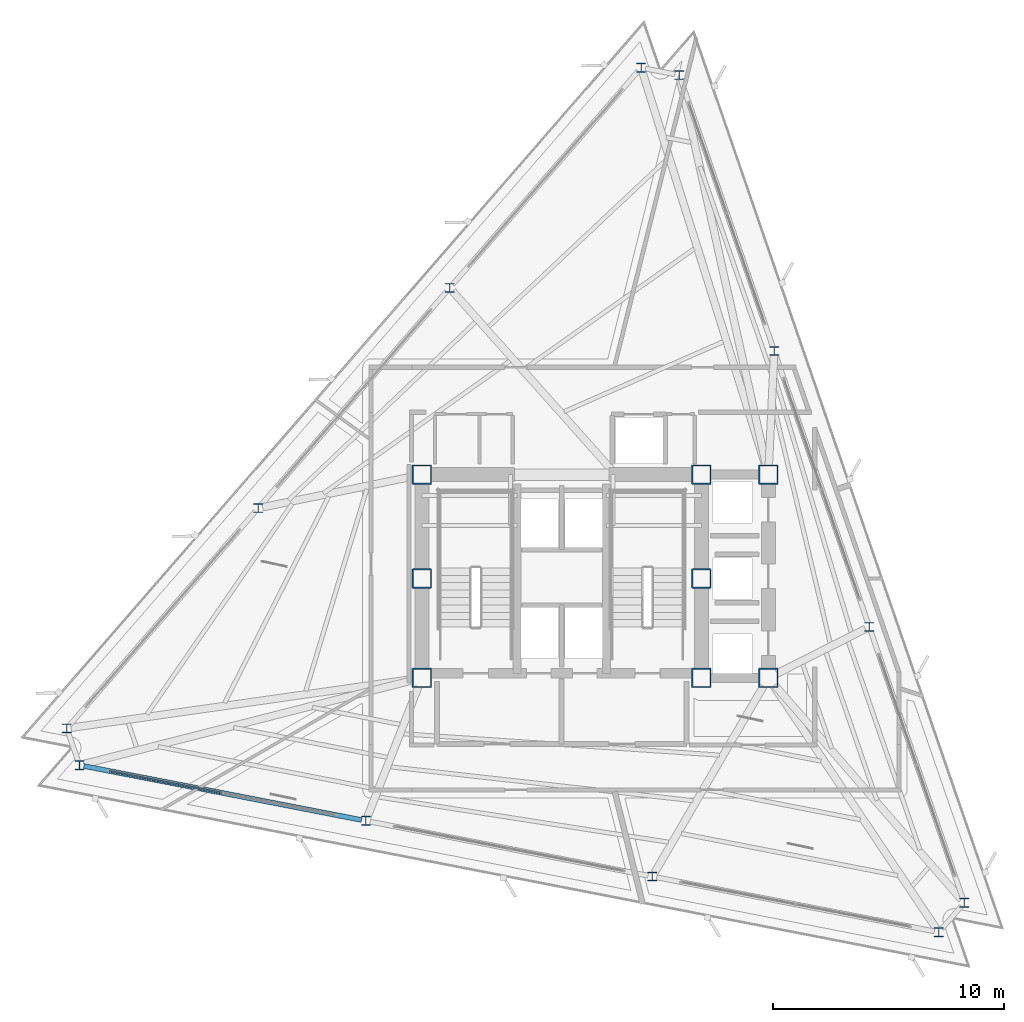
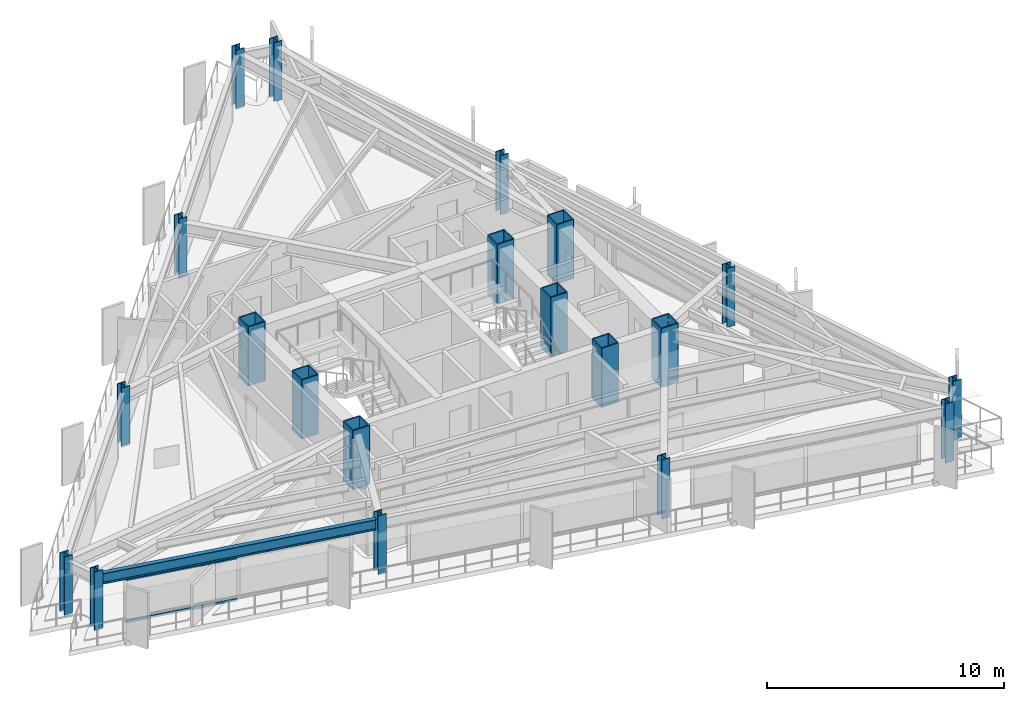
# One storey, part 1 of 13: 20 columns, 2 members, 1 beam, 1 element without a shape of its own.
"""IFC4 building model written with IfcOpenShell, lengths in metres."""

import ifcopenshell
import ifcopenshell.guid

model = None  # the IFC model being written
_history = None  # IfcOwnerHistory: only IFC2X3 demands one
_inside = {}  # id of a spatial element -> (the spatial element, [elements in it])
_under = {}  # id of a project, library or spatial element -> (it, [spatial elements below it])
_declared = {}  # id of a project -> (the project, [libraries it declares])
_typed = {}  # id of a type object -> (the type object, [elements of that type])
_made_of = {}  # id of a material, layer set ... -> (it, [elements and type objects made of it])


def new_model(schema):
    """Start an empty IFC model of exactly this schema.

    Asked for "IFC4X3", IfcOpenShell would pick the latest addendum, in which some entities
    have other attributes; the version numbers below select the first issue.
    IFC2X3 requires an IfcOwnerHistory on every rooted entity: one is made here for all.
    """
    global model, _history
    if schema == "IFC4X3":
        model = ifcopenshell.file(schema_version=(4, 3, 0, 0))
    else:
        model = ifcopenshell.file(schema=schema)
    _inside.clear()
    _under.clear()
    _declared.clear()
    _typed.clear()
    _made_of.clear()
    _history = None
    if model.schema == "IFC2X3":
        org = make("IfcOrganization", Name="unknown")
        user = make(
            "IfcPersonAndOrganization",
            ThePerson=make("IfcPerson", FamilyName="unknown"),
            TheOrganization=org,
        )
        app = make(
            "IfcApplication",
            ApplicationDeveloper=org,
            Version="unknown",
            ApplicationFullName="unknown",
            ApplicationIdentifier="unknown",
        )
        _history = make(
            "IfcOwnerHistory",
            OwningUser=user,
            OwningApplication=app,
            ChangeAction="ADDED",
            CreationDate=0,
        )
    return model


def make(cls, **values):
    """One entity of the class cls with the attributes given. An attribute that is None is left unset."""
    return model.create_entity(
        cls, **{name: value for name, value in values.items() if value is not None}
    )


def rooted(cls, **values):
    """An entity with a GlobalId (a new one), such as an element, a storey or a relation."""
    return make(cls, GlobalId=ifcopenshell.guid.new(), OwnerHistory=_history, **values)


def si_unit(unit_type, name, prefix=None):
    """IfcSIUnit, for example si_unit("LENGTHUNIT", "METRE", prefix="MILLI")."""
    return make("IfcSIUnit", UnitType=unit_type, Prefix=prefix, Name=name)


def assignment(units):
    """IfcUnitAssignment: the units of a project."""
    return None if units is None else make("IfcUnitAssignment", Units=units)


def point(xyz):
    """IfcCartesianPoint."""
    return None if xyz is None else make("IfcCartesianPoint", Coordinates=xyz)


def direction(xyz):
    """IfcDirection."""
    return None if xyz is None else make("IfcDirection", DirectionRatios=xyz)


def frame(location, z_axis=None, x_axis=None):
    """IfcAxis2Placement3D, a coordinate frame: its origin and axes. An axis left out is left unset."""
    return make(
        "IfcAxis2Placement3D",
        Location=point(location),
        Axis=direction(z_axis),
        RefDirection=direction(x_axis),
    )


def frame_2d(location, x_axis=None):
    """IfcAxis2Placement2D, a coordinate frame in the plane: its origin and x axis."""
    return make(
        "IfcAxis2Placement2D", Location=point(location), RefDirection=direction(x_axis)
    )


def origin():
    """The frame at (0, 0, 0) with its axes left unset."""
    return frame((0.0, 0.0, 0.0))


def origin_2d():
    """The frame at (0, 0) in the plane with its x axis left unset."""
    return frame_2d((0.0, 0.0))


def place(relative_to, where):
    """IfcLocalPlacement: puts the frame where relative to a parent placement (None: the world)."""
    return make(
        "IfcLocalPlacement", PlacementRelTo=relative_to, RelativePlacement=where
    )


def context(
    kind, dimensions, precision=None, world=None, true_north=None, identifier=None
):
    """IfcGeometricRepresentationContext, for example the 3D "Model" context."""
    return make(
        "IfcGeometricRepresentationContext",
        ContextIdentifier=identifier,
        ContextType=kind,
        CoordinateSpaceDimension=dimensions,
        Precision=precision,
        WorldCoordinateSystem=world,
        TrueNorth=true_north,
    )


def subcontext(parent, identifier, kind, view, scale=None):
    """IfcGeometricRepresentationSubContext, for example "Body" below "Model"."""
    return make(
        "IfcGeometricRepresentationSubContext",
        ContextIdentifier=identifier,
        ContextType=kind,
        ParentContext=parent,
        TargetScale=scale,
        TargetView=view,
    )


def project(units=None, contexts=None):
    """IfcProject with its units and contexts."""
    return rooted(
        "IfcProject",
        Name="project",
        RepresentationContexts=contexts,
        UnitsInContext=assignment(units),
    )


def spatial(cls, under=None, at=None, **own):
    """A site, building, storey or space (cls), placed at a placement, below another one or the project."""
    s = rooted(cls, ObjectPlacement=at, **own)
    if under is not None:
        _under.setdefault(under.id(), (under, []))[1].append(s)
    return s


def profile(cls, at=None, kind="AREA", **sizes):
    """A parametric profile (cls). Its sizes go by their IFC names, for example OverallWidth=200.0."""
    return make(cls, ProfileType=kind, Position=at, **sizes)


def rectangle(**sizes):
    """IfcRectangleProfileDef."""
    return profile("IfcRectangleProfileDef", **sizes)


def hollow_rectangle(**sizes):
    """IfcRectangleHollowProfileDef."""
    return profile("IfcRectangleHollowProfileDef", **sizes)


def i_section(**sizes):
    """IfcIShapeProfileDef."""
    return profile("IfcIShapeProfileDef", **sizes)


def extrude(swept, where, along, depth):
    """IfcExtrudedAreaSolid: the profile swept, set in the frame where, extruded along a direction by depth."""
    return make(
        "IfcExtrudedAreaSolid",
        SweptArea=swept,
        Position=where,
        ExtrudedDirection=direction(along),
        Depth=depth,
    )


def shape(context_of_items, identifier, shape_type, items):
    """IfcShapeRepresentation: the items that make up one representation, for example the "Body"."""
    return make(
        "IfcShapeRepresentation",
        ContextOfItems=context_of_items,
        RepresentationIdentifier=identifier,
        RepresentationType=shape_type,
        Items=items,
    )


def material(Name=None, Category=None):
    """IfcMaterial."""
    return make("IfcMaterial", Name=Name, Category=Category)


def layer(
    of_material, thickness, ventilated=None, Name=None, Category=None, Priority=None
):
    """IfcMaterialLayer: one layer of a wall or slab, of a material (None: an air gap)."""
    return make(
        "IfcMaterialLayer",
        Material=of_material,
        LayerThickness=thickness,
        IsVentilated=ventilated,
        Name=Name,
        Category=Category,
        Priority=Priority,
    )


def layer_set(layers, Name=None):
    """IfcMaterialLayerSet."""
    return make("IfcMaterialLayerSet", MaterialLayers=layers, LayerSetName=Name)


def material_profile(
    of_material, cross_section, Name=None, Category=None, Priority=None
):
    """IfcMaterialProfile: a cross section and its material."""
    return make(
        "IfcMaterialProfile",
        Name=Name,
        Material=of_material,
        Profile=cross_section,
        Priority=Priority,
        Category=Category,
    )


def profile_set(profiles, Name=None, composite=None):
    """IfcMaterialProfileSet."""
    return make(
        "IfcMaterialProfileSet",
        Name=Name,
        MaterialProfiles=profiles,
        CompositeProfile=composite,
    )


def made_of(thing, what):
    """Note that an element or type object is made of a material, layer set ...; save() writes the relation."""
    if what is not None:
        _made_of.setdefault(what.id(), (what, []))[1].append(thing)
    return thing


def type_object(cls, material=None, **own):
    """A type object (cls), such as IfcWallType, which elements share."""
    return made_of(rooted(cls, **own), material)


def element(
    cls,
    number,
    at=None,
    inside=None,
    cuts=None,
    type_object=None,
    material=None,
    context=None,
    identifier="Body",
    shape_type=None,
    held_by="IfcProductDefinitionShape",
    body=None,
    shapes=None,
    **own,
):
    """One element of the class cls, such as IfcWall. Its Tag is "e" and its number.

    at: its placement. inside: the storey or other place that contains it. cuts: it is an
    opening in that element (IfcRelVoidsElement). A single representation is given by context,
    identifier, shape_type and body (its items); several are given by shapes. held_by: the class
    of the entity that holds the representations. save() writes the other relations.
    """
    e = rooted(cls, Tag="e%d" % number, ObjectPlacement=at, **own)
    if body is not None:
        shapes = [shape(context, identifier, shape_type, body)]
    if shapes is not None:
        e.Representation = make(held_by, Representations=shapes)
    if inside is not None:
        _inside.setdefault(inside.id(), (inside, []))[1].append(e)
    if cuts is not None:
        rooted(
            "IfcRelVoidsElement", RelatingBuildingElement=cuts, RelatedOpeningElement=e
        )
    if type_object is not None:
        _typed.setdefault(type_object.id(), (type_object, []))[1].append(e)
    return made_of(e, material)


def aggregate(whole, parts):
    """IfcRelAggregates: a whole, such as a stair, and the parts it consists of."""
    return rooted("IfcRelAggregates", RelatingObject=whole, RelatedObjects=parts)


def save(model, path):
    """Write the relations noted so far, then the file.

    IfcRelAggregates (storeys below a building ...), IfcRelContainedInSpatialStructure (elements
    in a storey), IfcRelDefinesByType, IfcRelAssociatesMaterial and IfcRelDeclares: one each for
    every whole, place, type object, material and project.
    """
    for whole, parts in _under.values():
        aggregate(whole, parts)
    for where, things in _inside.values():
        rooted(
            "IfcRelContainedInSpatialStructure",
            RelatedElements=things,
            RelatingStructure=where,
        )
    for kind, things in _typed.values():
        rooted("IfcRelDefinesByType", RelatedObjects=things, RelatingType=kind)
    for what, things in _made_of.values():
        rooted("IfcRelAssociatesMaterial", RelatedObjects=things, RelatingMaterial=what)
    for by, libraries in _declared.values():
        rooted("IfcRelDeclares", RelatingContext=by, RelatedDefinitions=libraries)
    model.write(path)


model = new_model("IFC4")

# Units and contexts
model_context = context("Model", 3, precision=1e-05, world=origin(), true_north=direction((0.0, 1.0)))
body_context = subcontext(model_context, "Body", "Model", "MODEL_VIEW")
ifc_project = project(units=[si_unit("LENGTHUNIT", "METRE"), si_unit("AREAUNIT", "SQUARE_METRE"), si_unit("VOLUMEUNIT", "CUBIC_METRE"), si_unit("PLANEANGLEUNIT", "RADIAN"), si_unit("MASSUNIT", "GRAM", prefix="KILO")], contexts=[model_context])

# Site, building, storey
site_placement = place(None, origin())
site = spatial("IfcSite", under=ifc_project, at=site_placement, CompositionType="ELEMENT")
building_placement = place(site_placement, origin())
building = spatial("IfcBuilding", under=site, at=building_placement, Name="Rocaltana Carrier Exchange", CompositionType="ELEMENT")
storey_placement = place(building_placement, frame((0.0, 0.0, 153.280029296875)))
storey = spatial("IfcBuildingStorey", under=building, at=storey_placement, Name="L48", CompositionType="ELEMENT", Elevation=153.280029296875)

# Columns
ifc_material_1 = material(Name="Steel S460", Category="steel")
ifc_material_profile_1 = material_profile(ifc_material_1, hollow_rectangle(XDim=0.85009765625, YDim=0.85009765625, WallThickness=0.054931640625, InnerFilletRadius=0.02001953125, OuterFilletRadius=0.0400390625, at=origin_2d()), Name="BOX850X850X55")
ifc_profile_set_1 = profile_set([ifc_material_profile_1], Name="Steel S460")
column_type_1 = type_object("IfcColumnType", Name="Core Mega-Column BOX850", PredefinedType="COLUMN", material=ifc_profile_set_1)
for number, where, z_axis, x_axis, name in (
    (1, (-6.050048828125, 4.5, 0.0), (0.0, 0.0, 1.0), (1.0, 0.0, 0.0), "L48 Core Mega-Column MC1"),
    (2, (6.050048828125, 4.5, 0.0), (0.0, 0.0, 1.0), (1.0, 0.0, 0.0), "L48 Core Mega-Column MC2"),
    (3, (-6.050048828125, 0.0, 0.0), (0.0, 0.0, 1.0), (1.0, 0.0, 0.0), "L48 Core Mega-Column MC3"),
    (4, (6.050048828125, 0.0, 0.0), (0.0, 0.0, 1.0), (1.0, 0.0, 0.0), "L48 Core Mega-Column MC4"),
    (5, (-6.050048828125, -4.300048828125, 0.0), (0.0, 0.0, 1.0), (1.0, 0.0, 0.0), "L48 Core Mega-Column MC5"),
    (6, (6.050048828125, -4.300048828125, 0.0), (0.0, 0.0, 1.0), (1.0, 0.0, 0.0), "L48 Core Mega-Column MC6"),
    (7, (8.949951171875, 4.5, 0.0), (0.0, 0.0, 1.0), (1.0, 0.0, 0.0), "L48 East Core Column EC1"),
    (8, (8.949951171875, -4.300048828125, 0.0), (0.0, 0.0, 1.0), (1.0, 0.0, 0.0), "L48 East Core Column EC2"),
):
    element("IfcColumn", number, at=place(storey_placement, frame(where, z_axis=z_axis, x_axis=x_axis)), inside=storey, type_object=column_type_1, Name=name, PredefinedType="COLUMN", context=body_context, shape_type="SweptSolid", body=[
        extrude(hollow_rectangle(XDim=0.85009765625, YDim=0.85009765625, WallThickness=0.054931640625, InnerFilletRadius=0.02001953125, OuterFilletRadius=0.0400390625, at=origin_2d()), origin(), (0.0, 0.0, 1.0), 3.0400390625),
    ])
ifc_material_2 = material(Name="Steel S355", Category="steel")
ifc_material_profile_2 = material_profile(ifc_material_2, i_section(OverallWidth=0.40087890625, OverallDepth=0.39892578125, WebThickness=0.02490234375, FlangeThickness=0.03955078125, FilletRadius=0.01806640625, at=origin_2d()), Name="W14X211")
ifc_profile_set_2 = profile_set([ifc_material_profile_2], Name="Steel S355")
column_type_2 = type_object("IfcColumnType", Name="Perimeter Column W14X211", PredefinedType="COLUMN", material=ifc_profile_set_2)
for number, where, z_axis, x_axis, name in (
    (9, (17.43408203125, -14.038818359375, 0.0), (0.0, 0.0, 1.0), (1.0, 0.0, 0.0), "L48 Perimeter Column TC01"),
    (10, (13.321044921875, -2.09375, 0.0), (0.0, 0.0, 1.0), (1.0, 0.0, 0.0), "L48 Perimeter Column TC02"),
    (11, (9.2080078125, 9.851318359375, 0.0), (0.0, 0.0, 1.0), (1.0, 0.0, 0.0), "L48 Perimeter Column TC03"),
    (12, (5.094970703125, 21.79638671875, 0.0), (0.0, 0.0, 1.0), (1.0, 0.0, 0.0), "L48 Perimeter Column TC04"),
    (13, (3.44091796875, 22.117919921875, 0.0), (0.0, 0.0, 1.0), (1.0, 0.0, 0.0), "L48 Perimeter Column TC05"),
    (14, (-4.84716796875, 12.583251953125, 0.0), (0.0, 0.0, 1.0), (1.0, 0.0, 0.0), "L48 Perimeter Column TC06"),
    (15, (-13.135498046875, 3.048828125, 0.0), (0.0, 0.0, 1.0), (1.0, 0.0, 0.0), "L48 Perimeter Column TC07"),
    (16, (-21.423583984375, -6.485595703125, 0.0), (0.0, 0.0, 1.0), (1.0, 0.0, 0.0), "L48 Perimeter Column TC08"),
    (17, (-20.875, -8.078857421875, 0.0), (0.0, 0.0, 1.0), (1.0, 0.0, 0.0), "L48 Perimeter Column TC09"),
    (18, (-8.473876953125, -10.489501953125, 0.0), (0.0, 0.0, 1.0), (1.0, 0.0, 0.0), "L48 Perimeter Column TC10"),
    (19, (3.927490234375, -12.89990234375, 0.0), (0.0, 0.0, 1.0), (1.0, 0.0, 0.0), "L48 Perimeter Column TC11"),
    (20, (16.32861328125, -15.310546875, 0.0), (0.0, 0.0, 1.0), (1.0, 0.0, 0.0), "L48 Perimeter Column TC12"),
):
    element("IfcColumn", number, at=place(storey_placement, frame(where, z_axis=z_axis, x_axis=x_axis)), inside=storey, type_object=column_type_2, Name=name, PredefinedType="COLUMN", context=body_context, shape_type="SweptSolid", body=[
        extrude(i_section(OverallWidth=0.40087890625, OverallDepth=0.39892578125, WebThickness=0.02490234375, FlangeThickness=0.03955078125, FilletRadius=0.01806640625, at=origin_2d()), origin(), (0.0, 0.0, 1.0), 3.0400390625),
    ])

# Curtain wall, members
ifc_material_3 = material(Name="Aluminium 6063-T6", Category="aluminium")
ifc_layer = layer(ifc_material_3, 0.135009765625)
ifc_layer_set = layer_set([ifc_layer], Name="Aluminium 6063-T6")
curtain_wall_type = type_object("IfcCurtainWallType", Name="Upper-Mid Acoustic Curtain Wall CW-04", PredefinedType="NOTDEFINED", material=ifc_layer_set)
curtain_wall_placement = place(storey_placement, origin())
curtain_wall = element("IfcCurtainWall", 21, at=curtain_wall_placement, inside=storey, type_object=curtain_wall_type, Name="L48 CW-04 Run CW-L48-F3S1", PredefinedType="NOTDEFINED")
ifc_material_4 = material(Name="Aluminium 6063-T6", Category="aluminium")
ifc_material_profile_3 = material_profile(ifc_material_4, rectangle(XDim=0.06494140625, YDim=0.135009765625, at=origin_2d()), Name="AL-65X135")
ifc_profile_set_3 = profile_set([ifc_material_profile_3], Name="Aluminium 6063-T6")
member_type = type_object("IfcMemberType", Name="CW-04 Transom AL-65X135", PredefinedType="USERDEFINED", material=ifc_profile_set_3)
member_1_placement = place(storey_placement, frame((-19.584228515625, -8.329833984375, 0.032470703125), z_axis=(0.981633795462, -0.190774976365, 0.0), x_axis=(0.190774976365, 0.981633795462, 0.0)))
member_1 = element("IfcMember", 22, at=member_1_placement, type_object=member_type, Name="CW-04 transom 1.1", ObjectType="TRANSOM", PredefinedType="USERDEFINED", context=body_context, shape_type="SweptSolid", body=[
    extrude(rectangle(XDim=0.06494140625, YDim=0.135009765625, at=origin_2d()), origin(), (0.0, 0.0, 1.0), 4.96923828125),
])
member_2_placement = place(storey_placement, frame((-19.584228515625, -8.329833984375, 2.185546875), z_axis=(0.981633795462, -0.190774976365, 0.0), x_axis=(0.190774976365, 0.981633795462, 0.0)))
member_2 = element("IfcMember", 23, at=member_2_placement, type_object=member_type, Name="CW-04 transom 1.2", ObjectType="TRANSOM", PredefinedType="USERDEFINED", context=body_context, shape_type="SweptSolid", body=[
    extrude(rectangle(XDim=0.06494140625, YDim=0.135009765625, at=origin_2d()), origin(), (0.0, 0.0, 1.0), 4.96923828125),
])
aggregate(curtain_wall, [member_1, member_2])

# Beam
ifc_material_5 = material(Name="Steel S355", Category="steel")
ifc_material_profile_4 = material_profile(ifc_material_5, i_section(OverallWidth=0.2119140625, OverallDepth=0.5439453125, WebThickness=0.01318359375, FlangeThickness=0.021240234375, FilletRadius=0.014892578125, at=origin_2d()), Name="W21X83")
ifc_profile_set_4 = profile_set([ifc_material_profile_4], Name="Steel S355")
beam_type = type_object("IfcBeamType", Name="Spandrel Edge Beam W21X83", PredefinedType="SPANDREL", material=ifc_profile_set_4)
beam_placement = place(storey_placement, frame((-20.68701171875, -8.115478515625, 2.515869140625), z_axis=(0.981627937951, -0.190805113754, 0.0), x_axis=(0.190805113754, 0.981627937951, 0.0)))
element("IfcBeam", 24, at=beam_placement, inside=storey, type_object=beam_type, Name="SP-L48-09", PredefinedType="SPANDREL", context=body_context, shape_type="SweptSolid", body=[
    extrude(i_section(OverallWidth=0.2119140625, OverallDepth=0.5439453125, WebThickness=0.01318359375, FlangeThickness=0.021240234375, FilletRadius=0.014892578125, at=origin_2d()), origin(), (0.0, 0.0, 1.0), 12.250244140625),
])

save(model, "model.ifc")
